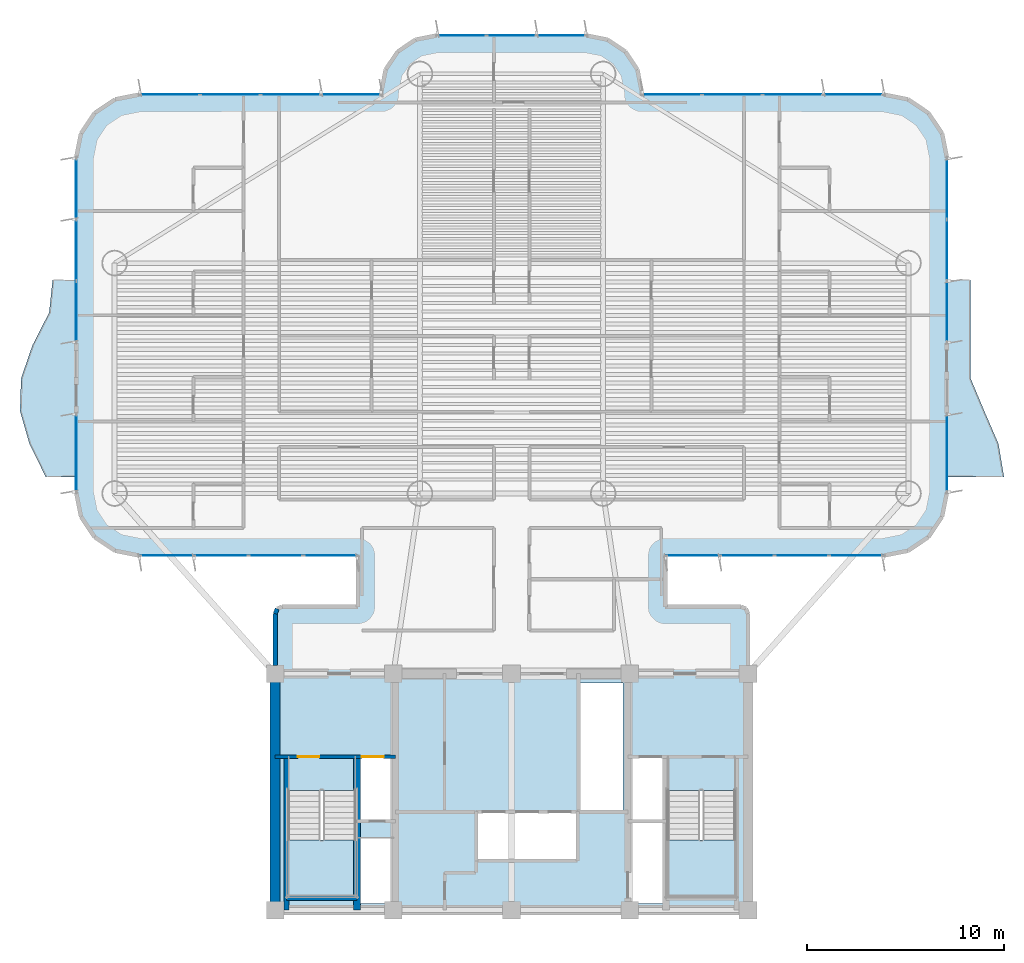
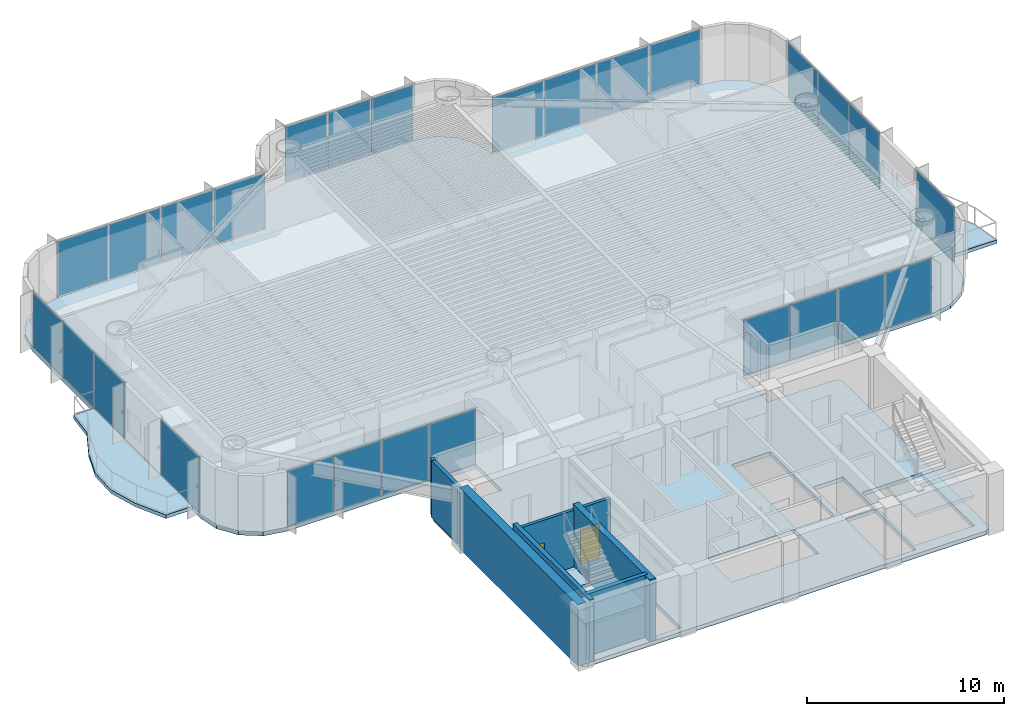
# One storey, part 8 of 17: 27 plates, 7 walls, 5 slabs, 2 doors, 2 openings, 11 elements without a shape of their own.
"""IFC4 building model written with IfcOpenShell, lengths in metres."""

from ifc_helpers import new_model, si_unit, direction, frame, frame_2d, origin, origin_2d, place, context, subcontext, project, spatial, polyline, rectangle, outline, extrude, source, transform, mapped, material, layer, layer_set, type_object, element, fill, aggregate, save


model = new_model("IFC4")

# Units and contexts
model_context = context("Model", 3, precision=1e-05, world=origin(), true_north=direction((0.0, 1.0)))
body_context = subcontext(model_context, "Body", "Model", "MODEL_VIEW")
ifc_project = project(units=[si_unit("LENGTHUNIT", "METRE"), si_unit("AREAUNIT", "SQUARE_METRE"), si_unit("VOLUMEUNIT", "CUBIC_METRE"), si_unit("PLANEANGLEUNIT", "RADIAN"), si_unit("MASSUNIT", "GRAM", prefix="KILO")], contexts=[model_context])

# Site, building, storey
site_placement = place(None, origin())
site = spatial("IfcSite", under=ifc_project, at=site_placement, CompositionType="ELEMENT")
building_placement = place(site_placement, origin())
building = spatial("IfcBuilding", under=site, at=building_placement, Name="Brelvock Crest Care Tower", CompositionType="ELEMENT")
storey_placement = place(building_placement, frame((0.0, 0.0, 127.6201171875)))
storey = spatial("IfcBuildingStorey", under=building, at=storey_placement, Name="L32", CompositionType="ELEMENT", Elevation=127.6201171875)

# Slabs
ifc_material_1 = material(Name="Concrete N50 (50 MPa)", Category="concrete")
ifc_layer_1 = layer(ifc_material_1, 0.25, Name="SLB-FL3")
ifc_layer_set_1 = layer_set([ifc_layer_1], Name="Concrete N50 (50 MPa)")
slab_type_1 = type_object("IfcSlabType", Name="SLB-FL3", PredefinedType="FLOOR", material=ifc_layer_set_1)
slab_1_placement = place(storey_placement, frame((0.0, 0.0, -0.25)))
element("IfcSlab", 1, at=slab_1_placement, inside=storey, type_object=slab_type_1, Name="L32 Main Structural Slab", PredefinedType="FLOOR", context=body_context, shape_type="SweptSolid", body=[
    extrude(outline(polyline([(47.64990234375, 21.39990234375), (43.800048828125, 21.39990234375), (43.800048828125, 24.0), (54.89990234375, 24.0), (56.12451171875, 24.24365234375), (57.16259765625, 24.937255859375), (57.8564453125, 25.975341796875), (58.10009765625, 27.199951171875), (58.10009765625, 44.199951171875), (57.8564453125, 45.424560546875), (57.16259765625, 46.462646484375), (56.12451171875, 47.156494140625), (54.89990234375, 47.39990234375), (42.60009765625, 47.39990234375), (42.60009765625, 47.60009765625), (42.386962890625, 48.67138671875), (41.77978515625, 49.579833984375), (40.87158203125, 50.18701171875), (39.800048828125, 50.39990234375), (32.199951171875, 50.39990234375), (31.12841796875, 50.18701171875), (30.22021484375, 49.579833984375), (29.613037109375, 48.67138671875), (29.39990234375, 47.60009765625), (29.39990234375, 47.39990234375), (17.10009765625, 47.39990234375), (15.87548828125, 47.156494140625), (14.83740234375, 46.462646484375), (14.1435546875, 45.424560546875), (13.89990234375, 44.199951171875), (13.89990234375, 27.199951171875), (14.1435546875, 25.975341796875), (14.83740234375, 24.937255859375), (15.87548828125, 24.24365234375), (17.10009765625, 24.0), (28.199951171875, 24.0), (28.199951171875, 21.39990234375), (24.35009765625, 21.39990234375), (24.1025390625, 21.297607421875), (24.0, 21.050048828125), (24.0, 6.35009765625), (24.1025390625, 6.1025390625), (24.35009765625, 6.0), (47.64990234375, 6.0), (47.8974609375, 6.1025390625), (48.0, 6.35009765625), (48.0, 21.050048828125), (47.8974609375, 21.297607421875), (47.64990234375, 21.39990234375)]), holes=[polyline([(28.239990234375, 10.580078125), (29.97998046875, 10.580078125), (29.97998046875, 13.739990234375), (28.239990234375, 13.739990234375), (28.239990234375, 10.580078125)]), polyline([(42.02001953125, 10.580078125), (43.760009765625, 10.580078125), (43.760009765625, 13.739990234375), (42.02001953125, 13.739990234375), (42.02001953125, 10.580078125)]), polyline([(28.239990234375, 6.340087890625), (29.97998046875, 6.340087890625), (29.97998046875, 9.64990234375), (28.239990234375, 9.64990234375), (28.239990234375, 6.340087890625)]), polyline([(24.6298828125, 12.080078125), (24.6298828125, 6.699951171875), (28.110107421875, 6.699951171875), (28.110107421875, 12.080078125), (24.6298828125, 12.080078125)]), polyline([(43.889892578125, 12.080078125), (43.889892578125, 6.699951171875), (47.3701171875, 6.699951171875), (47.3701171875, 12.080078125), (43.889892578125, 12.080078125)]), polyline([(42.02001953125, 6.340087890625), (43.760009765625, 6.340087890625), (43.760009765625, 10.5), (42.02001953125, 10.5), (42.02001953125, 6.340087890625)]), polyline([(34.22998046875, 8.530029296875), (39.320068359375, 8.530029296875), (39.320068359375, 10.969970703125), (34.22998046875, 10.969970703125), (34.22998046875, 8.530029296875)]), polyline([(39.429931640625, 11.030029296875), (41.669921875, 11.030029296875), (41.669921875, 17.52001953125), (39.429931640625, 17.52001953125), (39.429931640625, 11.030029296875)])]), origin(), (0.0, 0.0, 1.0), 0.25),
])
ifc_layer_2 = layer(ifc_material_1, 0.219970703125, Name="SLB-WB1")
ifc_layer_set_2 = layer_set([ifc_layer_2], Name="Concrete N50 (50 MPa)")
slab_type_2 = type_object("IfcSlabType", Name="SLB-WB1", PredefinedType="FLOOR", material=ifc_layer_set_2)
slab_2_placement = place(storey_placement, frame((0.0, 0.0, -0.22021484375)))
element("IfcSlab", 2, at=slab_2_placement, inside=storey, type_object=slab_type_2, Name="L32 W Sinusoidal Wave Balcony Slab", PredefinedType="FLOOR", context=body_context, shape_type="SweptSolid", body=[
    extrude(outline(polyline([(13.89990234375, 38.0), (12.699951171875, 38.0), (12.526123046875, 36.333251953125), (11.675048828125, 34.666748046875), (11.102783203125, 33.0), (11.0458984375, 31.333251953125), (11.5283203125, 29.666748046875), (12.35009765625, 28.0), (13.89990234375, 28.0), (13.89990234375, 38.0)])), origin(), (0.0, 0.0, 1.0), 0.22021484375),
])
slab_3_placement = place(storey_placement, frame((0.0, 0.0, -0.22021484375)))
element("IfcSlab", 3, at=slab_3_placement, inside=storey, type_object=slab_type_2, Name="L32 E Sinusoidal Wave Balcony Slab", PredefinedType="FLOOR", context=body_context, shape_type="SweptSolid", body=[
    extrude(outline(polyline([(58.10009765625, 28.0), (61.0, 28.0), (60.720947265625, 29.666748046875), (59.99951171875, 31.333251953125), (59.300048828125, 33.0), (59.300048828125, 34.666748046875), (59.300048828125, 36.333251953125), (59.300048828125, 38.0), (58.10009765625, 38.0), (58.10009765625, 28.0)])), origin(), (0.0, 0.0, 1.0), 0.22021484375),
])

# Stair, slab
ifc_material_2 = material(Name="Concrete N40 (40 MPa)", Category="concrete")
stair_type = type_object("IfcStairType", Name="ST-CORE1", PredefinedType="HALF_TURN_STAIR", material=ifc_material_2)
stair_1_placement = place(storey_placement, origin())
stair_1 = element("IfcStair", 4, at=stair_1_placement, inside=storey, type_object=stair_type, Name="L32 Fire-Isolated Core Stair ST-1", PredefinedType="HALF_TURN_STAIR")
ifc_layer_3 = layer(ifc_material_2, 0.199951171875, Name="STL-1")
ifc_layer_set_3 = layer_set([ifc_layer_3], Name="Concrete N40 (40 MPa)")
slab_type_3 = type_object("IfcSlabType", Name="STL-1", PredefinedType="LANDING", material=ifc_layer_set_3)
slab_4_placement = place(storey_placement, frame((0.0, 0.0, 1.68994140625)))
slab_4 = element("IfcSlab", 5, at=slab_4_placement, type_object=slab_type_3, Name="ST-1 landing 1", PredefinedType="LANDING", context=body_context, shape_type="SweptSolid", body=[
    extrude(outline(polyline([(24.6298828125, 9.56005859375), (24.6298828125, 6.699951171875), (28.110107421875, 6.699951171875), (28.110107421875, 9.56005859375), (24.6298828125, 9.56005859375)])), origin(), (0.0, 0.0, 1.0), 0.199951171875),
])
aggregate(stair_1, [slab_4])

stair_2_placement = place(storey_placement, origin())
stair_2 = element("IfcStair", 6, at=stair_2_placement, inside=storey, type_object=stair_type, Name="L32 Fire-Isolated Core Stair ST-2", PredefinedType="HALF_TURN_STAIR")
slab_5_placement = place(storey_placement, frame((0.0, 0.0, 1.68994140625)))
slab_5 = element("IfcSlab", 7, at=slab_5_placement, type_object=slab_type_3, Name="ST-2 landing 1", PredefinedType="LANDING", context=body_context, shape_type="SweptSolid", body=[
    extrude(outline(polyline([(43.889892578125, 9.56005859375), (43.889892578125, 6.699951171875), (47.3701171875, 6.699951171875), (47.3701171875, 9.56005859375), (43.889892578125, 9.56005859375)])), origin(), (0.0, 0.0, 1.0), 0.199951171875),
])
aggregate(stair_2, [slab_5])

# Curtain wall, plates
ifc_material_3 = material(Name="Dark Glass Double Glazed Low-E", Category="glass")
ifc_layer_4 = layer(ifc_material_3, 0.2099609375, Name="CWS-3")
ifc_layer_set_4 = layer_set([ifc_layer_4], Name="Dark Glass Double Glazed Low-E")
curtain_wall_type = type_object("IfcCurtainWallType", Name="CWS-3", PredefinedType="NOTDEFINED", material=ifc_layer_set_4)
curtain_wall_1_placement = place(storey_placement, origin())
curtain_wall_1 = element("IfcCurtainWall", 8, at=curtain_wall_1_placement, inside=storey, type_object=curtain_wall_type, Name="L32 Curtain Wall E12", PredefinedType="NOTDEFINED")
ifc_layer_5 = layer(ifc_material_3, 0.031982421875, Name="CWP-V1")
ifc_layer_set_5 = layer_set([ifc_layer_5], Name="Dark Glass Double Glazed Low-E")
plate_type = type_object("IfcPlateType", Name="CWP-V1", PredefinedType="CURTAIN_PANEL", material=ifc_layer_set_5)
shared_shape_1 = source(origin(), body_context, "Body", "SweptSolid", [
    extrude(rectangle(XDim=2.68505859375, YDim=0.035888671875, at=origin_2d()), origin(), (0.0, 0.0, 1.0), 3.409912109375),
])
plate_1_placement = place(storey_placement, frame((26.797607421875, 24.0, 0.06005859375), z_axis=(0.0, 0.0, 1.0), x_axis=(-1.0, 0.0, 0.0)))
plate_1 = element("IfcPlate", 9, at=plate_1_placement, type_object=plate_type, Name="CW-3 panel 1.1", PredefinedType="CURTAIN_PANEL", context=body_context, shape_type="MappedRepresentation", body=[
    mapped(shared_shape_1, transform((0.0, 0.0, 0.0), x_axis=(1.0, 0.0, 0.0), y_axis=(0.0, 1.0, 0.0), z_axis=(0.0, 0.0, 1.0), scale=1.0)),
])
plate_2_placement = place(storey_placement, frame((18.50244140625, 24.0, 0.06005859375), z_axis=(0.0, 0.0, 1.0), x_axis=(-1.0, 0.0, 0.0)))
plate_2 = element("IfcPlate", 10, at=plate_2_placement, type_object=plate_type, Name="CW-3 panel 4.1", PredefinedType="CURTAIN_PANEL", context=body_context, shape_type="MappedRepresentation", body=[
    mapped(shared_shape_1, transform((0.0, 0.0, 0.0), x_axis=(1.0, 0.0, 0.0), y_axis=(0.0, 1.0, 0.0), z_axis=(0.0, 0.0, 1.0), scale=1.0)),
])

curtain_wall_2_placement = place(storey_placement, origin())
curtain_wall_2 = element("IfcCurtainWall", 11, at=curtain_wall_2_placement, inside=storey, type_object=curtain_wall_type, Name="L32 Curtain Wall E44", PredefinedType="NOTDEFINED")
plate_3_placement = place(storey_placement, frame((53.49755859375, 24.0, 0.06005859375), z_axis=(0.0, 0.0, 1.0), x_axis=(-1.0, 0.0, 0.0)))
plate_3 = element("IfcPlate", 12, at=plate_3_placement, type_object=plate_type, Name="CW-3 panel 1.1", PredefinedType="CURTAIN_PANEL", context=body_context, shape_type="MappedRepresentation", body=[
    mapped(shared_shape_1, transform((0.0, 0.0, 0.0), x_axis=(1.0, 0.0, 0.0), y_axis=(0.0, 1.0, 0.0), z_axis=(0.0, 0.0, 1.0), scale=1.0)),
])
plate_4_placement = place(storey_placement, frame((45.202392578125, 24.0, 0.06005859375), z_axis=(0.0, 0.0, 1.0), x_axis=(-1.0, 0.0, 0.0)))
plate_4 = element("IfcPlate", 13, at=plate_4_placement, type_object=plate_type, Name="CW-3 panel 4.1", PredefinedType="CURTAIN_PANEL", context=body_context, shape_type="MappedRepresentation", body=[
    mapped(shared_shape_1, transform((0.0, 0.0, 0.0), x_axis=(1.0, 0.0, 0.0), y_axis=(0.0, 1.0, 0.0), z_axis=(0.0, 0.0, 1.0), scale=1.0)),
])

# Plate
shared_shape_2 = source(origin(), body_context, "Body", "SweptSolid", [
    extrude(rectangle(XDim=2.715087890625, YDim=0.035888671875, at=origin_2d()), origin(), (0.0, 0.0, 1.0), 3.409912109375),
])
plate_5_placement = place(storey_placement, frame((24.03759765625, 24.0, 0.06005859375), z_axis=(0.0, 0.0, 1.0), x_axis=(-1.0, 0.0, 0.0)))
plate_5 = element("IfcPlate", 14, at=plate_5_placement, type_object=plate_type, Name="CW-3 panel 2.1", PredefinedType="CURTAIN_PANEL", context=body_context, shape_type="MappedRepresentation", body=[
    mapped(shared_shape_2, transform((0.0, 0.0, 0.0), x_axis=(1.0, 0.0, 0.0), y_axis=(0.0, 1.0, 0.0), z_axis=(0.0, 0.0, 1.0), scale=1.0)),
])

plate_6_placement = place(storey_placement, frame((21.262451171875, 24.0, 0.06005859375), z_axis=(0.0, 0.0, 1.0), x_axis=(-1.0, 0.0, 0.0)))
plate_6 = element("IfcPlate", 15, at=plate_6_placement, type_object=plate_type, Name="CW-3 panel 3.1", PredefinedType="CURTAIN_PANEL", context=body_context, shape_type="MappedRepresentation", body=[
    mapped(shared_shape_2, transform((0.0, 0.0, 0.0), x_axis=(1.0, 0.0, 0.0), y_axis=(0.0, 1.0, 0.0), z_axis=(0.0, 0.0, 1.0), scale=1.0)),
])

aggregate(curtain_wall_1, [plate_1, plate_5, plate_6, plate_2])

plate_7_placement = place(storey_placement, frame((50.737548828125, 24.0, 0.06005859375), z_axis=(0.0, 0.0, 1.0), x_axis=(-1.0, 0.0, 0.0)))
plate_7 = element("IfcPlate", 16, at=plate_7_placement, type_object=plate_type, Name="CW-3 panel 2.1", PredefinedType="CURTAIN_PANEL", context=body_context, shape_type="MappedRepresentation", body=[
    mapped(shared_shape_2, transform((0.0, 0.0, 0.0), x_axis=(1.0, 0.0, 0.0), y_axis=(0.0, 1.0, 0.0), z_axis=(0.0, 0.0, 1.0), scale=1.0)),
])

plate_8_placement = place(storey_placement, frame((47.96240234375, 24.0, 0.06005859375), z_axis=(0.0, 0.0, 1.0), x_axis=(-1.0, 0.0, 0.0)))
plate_8 = element("IfcPlate", 17, at=plate_8_placement, type_object=plate_type, Name="CW-3 panel 3.1", PredefinedType="CURTAIN_PANEL", context=body_context, shape_type="MappedRepresentation", body=[
    mapped(shared_shape_2, transform((0.0, 0.0, 0.0), x_axis=(1.0, 0.0, 0.0), y_axis=(0.0, 1.0, 0.0), z_axis=(0.0, 0.0, 1.0), scale=1.0)),
])

aggregate(curtain_wall_2, [plate_3, plate_7, plate_8, plate_4])

# Curtain wall, plates
curtain_wall_3_placement = place(storey_placement, origin())
curtain_wall_3 = element("IfcCurtainWall", 18, at=curtain_wall_3_placement, inside=storey, type_object=curtain_wall_type, Name="L32 Curtain Wall E22", PredefinedType="NOTDEFINED")
shared_shape_3 = source(origin(), body_context, "Body", "SweptSolid", [
    extrude(rectangle(XDim=2.985107421875, YDim=0.035888671875, at=origin_2d()), origin(), (0.0, 0.0, 1.0), 3.409912109375),
])
plate_9_placement = place(storey_placement, frame((18.652587890625, 47.39990234375, 0.06005859375), z_axis=(0.0, 0.0, 1.0), x_axis=(1.0, 0.0, 0.0)))
plate_9 = element("IfcPlate", 19, at=plate_9_placement, type_object=plate_type, Name="CW-3 panel 1.1", PredefinedType="CURTAIN_PANEL", context=body_context, shape_type="MappedRepresentation", body=[
    mapped(shared_shape_3, transform((0.0, 0.0, 0.0), x_axis=(1.0, 0.0, 0.0), y_axis=(0.0, 1.0, 0.0), z_axis=(0.0, 0.0, 1.0), scale=1.0)),
])
plate_10_placement = place(storey_placement, frame((27.847412109375, 47.39990234375, 0.06005859375), z_axis=(0.0, 0.0, 1.0), x_axis=(1.0, 0.0, 0.0)))
plate_10 = element("IfcPlate", 20, at=plate_10_placement, type_object=plate_type, Name="CW-3 panel 4.1", PredefinedType="CURTAIN_PANEL", context=body_context, shape_type="MappedRepresentation", body=[
    mapped(shared_shape_3, transform((0.0, 0.0, 0.0), x_axis=(1.0, 0.0, 0.0), y_axis=(0.0, 1.0, 0.0), z_axis=(0.0, 0.0, 1.0), scale=1.0)),
])

curtain_wall_4_placement = place(storey_placement, origin())
curtain_wall_4 = element("IfcCurtainWall", 21, at=curtain_wall_4_placement, inside=storey, type_object=curtain_wall_type, Name="L32 Curtain Wall E34", PredefinedType="NOTDEFINED")
plate_11_placement = place(storey_placement, frame((44.152587890625, 47.39990234375, 0.06005859375), z_axis=(0.0, 0.0, 1.0), x_axis=(1.0, 0.0, 0.0)))
plate_11 = element("IfcPlate", 22, at=plate_11_placement, type_object=plate_type, Name="CW-3 panel 1.1", PredefinedType="CURTAIN_PANEL", context=body_context, shape_type="MappedRepresentation", body=[
    mapped(shared_shape_3, transform((0.0, 0.0, 0.0), x_axis=(1.0, 0.0, 0.0), y_axis=(0.0, 1.0, 0.0), z_axis=(0.0, 0.0, 1.0), scale=1.0)),
])
plate_12_placement = place(storey_placement, frame((53.347412109375, 47.39990234375, 0.06005859375), z_axis=(0.0, 0.0, 1.0), x_axis=(1.0, 0.0, 0.0)))
plate_12 = element("IfcPlate", 23, at=plate_12_placement, type_object=plate_type, Name="CW-3 panel 4.1", PredefinedType="CURTAIN_PANEL", context=body_context, shape_type="MappedRepresentation", body=[
    mapped(shared_shape_3, transform((0.0, 0.0, 0.0), x_axis=(1.0, 0.0, 0.0), y_axis=(0.0, 1.0, 0.0), z_axis=(0.0, 0.0, 1.0), scale=1.0)),
])

# Plate
shared_shape_4 = source(origin(), body_context, "Body", "SweptSolid", [
    extrude(rectangle(XDim=3.014892578125, YDim=0.035888671875, at=origin_2d()), origin(), (0.0, 0.0, 1.0), 3.409912109375),
])
plate_13_placement = place(storey_placement, frame((21.71240234375, 47.39990234375, 0.06005859375), z_axis=(0.0, 0.0, 1.0), x_axis=(1.0, 0.0, 0.0)))
plate_13 = element("IfcPlate", 24, at=plate_13_placement, type_object=plate_type, Name="CW-3 panel 2.1", PredefinedType="CURTAIN_PANEL", context=body_context, shape_type="MappedRepresentation", body=[
    mapped(shared_shape_4, transform((0.0, 0.0, 0.0), x_axis=(1.0, 0.0, 0.0), y_axis=(0.0, 1.0, 0.0), z_axis=(0.0, 0.0, 1.0), scale=1.0)),
])

plate_14_placement = place(storey_placement, frame((24.78759765625, 47.39990234375, 0.06005859375), z_axis=(0.0, 0.0, 1.0), x_axis=(1.0, 0.0, 0.0)))
plate_14 = element("IfcPlate", 25, at=plate_14_placement, type_object=plate_type, Name="CW-3 panel 3.1", PredefinedType="CURTAIN_PANEL", context=body_context, shape_type="MappedRepresentation", body=[
    mapped(shared_shape_4, transform((0.0, 0.0, 0.0), x_axis=(1.0, 0.0, 0.0), y_axis=(0.0, 1.0, 0.0), z_axis=(0.0, 0.0, 1.0), scale=1.0)),
])

aggregate(curtain_wall_3, [plate_9, plate_13, plate_14, plate_10])

plate_15_placement = place(storey_placement, frame((47.21240234375, 47.39990234375, 0.06005859375), z_axis=(0.0, 0.0, 1.0), x_axis=(1.0, 0.0, 0.0)))
plate_15 = element("IfcPlate", 26, at=plate_15_placement, type_object=plate_type, Name="CW-3 panel 2.1", PredefinedType="CURTAIN_PANEL", context=body_context, shape_type="MappedRepresentation", body=[
    mapped(shared_shape_4, transform((0.0, 0.0, 0.0), x_axis=(1.0, 0.0, 0.0), y_axis=(0.0, 1.0, 0.0), z_axis=(0.0, 0.0, 1.0), scale=1.0)),
])

plate_16_placement = place(storey_placement, frame((50.28759765625, 47.39990234375, 0.06005859375), z_axis=(0.0, 0.0, 1.0), x_axis=(1.0, 0.0, 0.0)))
plate_16 = element("IfcPlate", 27, at=plate_16_placement, type_object=plate_type, Name="CW-3 panel 3.1", PredefinedType="CURTAIN_PANEL", context=body_context, shape_type="MappedRepresentation", body=[
    mapped(shared_shape_4, transform((0.0, 0.0, 0.0), x_axis=(1.0, 0.0, 0.0), y_axis=(0.0, 1.0, 0.0), z_axis=(0.0, 0.0, 1.0), scale=1.0)),
])

aggregate(curtain_wall_4, [plate_11, plate_15, plate_16, plate_12])

# Curtain wall, plates
curtain_wall_5_placement = place(storey_placement, origin())
curtain_wall_5 = element("IfcCurtainWall", 28, at=curtain_wall_5_placement, inside=storey, type_object=curtain_wall_type, Name="L32 Curtain Wall E28", PredefinedType="NOTDEFINED")
shared_shape_5 = source(origin(), body_context, "Body", "SweptSolid", [
    extrude(rectangle(XDim=2.443359375, YDim=0.035888671875, at=origin_2d()), origin(), (0.0, 0.0, 1.0), 3.409912109375),
])
plate_17_placement = place(storey_placement, frame((33.481689453125, 50.39990234375, 0.06005859375), z_axis=(0.0, 0.0, 1.0), x_axis=(1.0, 0.0, 0.0)))
plate_17 = element("IfcPlate", 29, at=plate_17_placement, type_object=plate_type, Name="CW-3 panel 1.1", PredefinedType="CURTAIN_PANEL", context=body_context, shape_type="MappedRepresentation", body=[
    mapped(shared_shape_5, transform((0.0, 0.0, 0.0), x_axis=(1.0, 0.0, 0.0), y_axis=(0.0, 1.0, 0.0), z_axis=(0.0, 0.0, 1.0), scale=1.0)),
])
plate_18_placement = place(storey_placement, frame((38.518310546875, 50.39990234375, 0.06005859375), z_axis=(0.0, 0.0, 1.0), x_axis=(1.0, 0.0, 0.0)))
plate_18 = element("IfcPlate", 30, at=plate_18_placement, type_object=plate_type, Name="CW-3 panel 3.1", PredefinedType="CURTAIN_PANEL", context=body_context, shape_type="MappedRepresentation", body=[
    mapped(shared_shape_5, transform((0.0, 0.0, 0.0), x_axis=(1.0, 0.0, 0.0), y_axis=(0.0, 1.0, 0.0), z_axis=(0.0, 0.0, 1.0), scale=1.0)),
])
shared_shape_6 = source(origin(), body_context, "Body", "SweptSolid", [
    extrude(rectangle(XDim=2.473388671875, YDim=0.035888671875, at=origin_2d()), origin(), (0.0, 0.0, 1.0), 3.409912109375),
])
plate_19_placement = place(storey_placement, frame((36.0, 50.39990234375, 0.06005859375), z_axis=(0.0, 0.0, 1.0), x_axis=(1.0, 0.0, 0.0)))
plate_19 = element("IfcPlate", 31, at=plate_19_placement, type_object=plate_type, Name="CW-3 panel 2.1", PredefinedType="CURTAIN_PANEL", context=body_context, shape_type="MappedRepresentation", body=[
    mapped(shared_shape_6, transform((0.0, 0.0, 0.0), x_axis=(1.0, 0.0, 0.0), y_axis=(0.0, 1.0, 0.0), z_axis=(0.0, 0.0, 1.0), scale=1.0)),
])
aggregate(curtain_wall_5, [plate_17, plate_19, plate_18])

# Curtain wall, plate
curtain_wall_6_placement = place(storey_placement, origin())
curtain_wall_6 = element("IfcCurtainWall", 32, at=curtain_wall_6_placement, inside=storey, type_object=curtain_wall_type, Name="L32 Curtain Wall E17A", PredefinedType="NOTDEFINED")
shared_shape_7 = source(origin(), body_context, "Body", "SweptSolid", [
    extrude(rectangle(XDim=3.8798828125, YDim=0.035888671875, at=origin_2d()), origin(), (0.0, 0.0, 1.0), 3.409912109375),
])
plate_20_placement = place(storey_placement, frame((13.89990234375, 29.199951171875, 0.06005859375), z_axis=(0.0, 0.0, 1.0), x_axis=(0.0, 1.0, 0.0)))
plate_20 = element("IfcPlate", 33, at=plate_20_placement, type_object=plate_type, Name="CW-3 panel 1.1", PredefinedType="CURTAIN_PANEL", context=body_context, shape_type="MappedRepresentation", body=[
    mapped(shared_shape_7, transform((0.0, 0.0, 0.0), x_axis=(1.0, 0.0, 0.0), y_axis=(0.0, 1.0, 0.0), z_axis=(0.0, 0.0, 1.0), scale=1.0)),
])
aggregate(curtain_wall_6, [plate_20])

curtain_wall_7_placement = place(storey_placement, origin())
curtain_wall_7 = element("IfcCurtainWall", 34, at=curtain_wall_7_placement, inside=storey, type_object=curtain_wall_type, Name="L32 Curtain Wall E39B", PredefinedType="NOTDEFINED")
plate_21_placement = place(storey_placement, frame((58.10009765625, 29.199951171875, 0.06005859375), z_axis=(0.0, 0.0, 1.0), x_axis=(0.0, -1.0, 0.0)))
plate_21 = element("IfcPlate", 35, at=plate_21_placement, type_object=plate_type, Name="CW-3 panel 1.1", PredefinedType="CURTAIN_PANEL", context=body_context, shape_type="MappedRepresentation", body=[
    mapped(shared_shape_7, transform((0.0, 0.0, 0.0), x_axis=(1.0, 0.0, 0.0), y_axis=(0.0, 1.0, 0.0), z_axis=(0.0, 0.0, 1.0), scale=1.0)),
])
aggregate(curtain_wall_7, [plate_21])

# Curtain wall, plates
curtain_wall_8_placement = place(storey_placement, origin())
curtain_wall_8 = element("IfcCurtainWall", 36, at=curtain_wall_8_placement, inside=storey, type_object=curtain_wall_type, Name="L32 Curtain Wall E17B", PredefinedType="NOTDEFINED")
shared_shape_8 = source(origin(), body_context, "Body", "SweptSolid", [
    extrude(rectangle(XDim=3.043212890625, YDim=0.035888671875, at=origin_2d()), origin(), (0.0, 0.0, 1.0), 3.409912109375),
])
plate_22_placement = place(storey_placement, frame((13.89990234375, 36.381591796875, 0.06005859375), z_axis=(0.0, 0.0, 1.0), x_axis=(0.0, 1.0, 0.0)))
plate_22 = element("IfcPlate", 37, at=plate_22_placement, type_object=plate_type, Name="CW-3 panel 1.1", PredefinedType="CURTAIN_PANEL", context=body_context, shape_type="MappedRepresentation", body=[
    mapped(shared_shape_8, transform((0.0, 0.0, 0.0), x_axis=(1.0, 0.0, 0.0), y_axis=(0.0, 1.0, 0.0), z_axis=(0.0, 0.0, 1.0), scale=1.0)),
])
plate_23_placement = place(storey_placement, frame((13.89990234375, 42.618408203125, 0.06005859375), z_axis=(0.0, 0.0, 1.0), x_axis=(0.0, 1.0, 0.0)))
plate_23 = element("IfcPlate", 38, at=plate_23_placement, type_object=plate_type, Name="CW-3 panel 3.1", PredefinedType="CURTAIN_PANEL", context=body_context, shape_type="MappedRepresentation", body=[
    mapped(shared_shape_8, transform((0.0, 0.0, 0.0), x_axis=(1.0, 0.0, 0.0), y_axis=(0.0, 1.0, 0.0), z_axis=(0.0, 0.0, 1.0), scale=1.0)),
])

curtain_wall_9_placement = place(storey_placement, origin())
curtain_wall_9 = element("IfcCurtainWall", 39, at=curtain_wall_9_placement, inside=storey, type_object=curtain_wall_type, Name="L32 Curtain Wall E39A", PredefinedType="NOTDEFINED")
plate_24_placement = place(storey_placement, frame((58.10009765625, 42.618408203125, 0.06005859375), z_axis=(0.0, 0.0, 1.0), x_axis=(0.0, -1.0, 0.0)))
plate_24 = element("IfcPlate", 40, at=plate_24_placement, type_object=plate_type, Name="CW-3 panel 1.1", PredefinedType="CURTAIN_PANEL", context=body_context, shape_type="MappedRepresentation", body=[
    mapped(shared_shape_8, transform((0.0, 0.0, 0.0), x_axis=(1.0, 0.0, 0.0), y_axis=(0.0, 1.0, 0.0), z_axis=(0.0, 0.0, 1.0), scale=1.0)),
])
plate_25_placement = place(storey_placement, frame((58.10009765625, 36.381591796875, 0.06005859375), z_axis=(0.0, 0.0, 1.0), x_axis=(0.0, -1.0, 0.0)))
plate_25 = element("IfcPlate", 41, at=plate_25_placement, type_object=plate_type, Name="CW-3 panel 3.1", PredefinedType="CURTAIN_PANEL", context=body_context, shape_type="MappedRepresentation", body=[
    mapped(shared_shape_8, transform((0.0, 0.0, 0.0), x_axis=(1.0, 0.0, 0.0), y_axis=(0.0, 1.0, 0.0), z_axis=(0.0, 0.0, 1.0), scale=1.0)),
])

# Plate
shared_shape_9 = source(origin(), body_context, "Body", "SweptSolid", [
    extrude(rectangle(XDim=3.0732421875, YDim=0.035888671875, at=origin_2d()), origin(), (0.0, 0.0, 1.0), 3.409912109375),
])
plate_26_placement = place(storey_placement, frame((13.89990234375, 39.5, 0.06005859375), z_axis=(0.0, 0.0, 1.0), x_axis=(0.0, 1.0, 0.0)))
plate_26 = element("IfcPlate", 42, at=plate_26_placement, type_object=plate_type, Name="CW-3 panel 2.1", PredefinedType="CURTAIN_PANEL", context=body_context, shape_type="MappedRepresentation", body=[
    mapped(shared_shape_9, transform((0.0, 0.0, 0.0), x_axis=(1.0, 0.0, 0.0), y_axis=(0.0, 1.0, 0.0), z_axis=(0.0, 0.0, 1.0), scale=1.0)),
])

aggregate(curtain_wall_8, [plate_22, plate_26, plate_23])

plate_27_placement = place(storey_placement, frame((58.10009765625, 39.5, 0.06005859375), z_axis=(0.0, 0.0, 1.0), x_axis=(0.0, -1.0, 0.0)))
plate_27 = element("IfcPlate", 43, at=plate_27_placement, type_object=plate_type, Name="CW-3 panel 2.1", PredefinedType="CURTAIN_PANEL", context=body_context, shape_type="MappedRepresentation", body=[
    mapped(shared_shape_9, transform((0.0, 0.0, 0.0), x_axis=(1.0, 0.0, 0.0), y_axis=(0.0, 1.0, 0.0), z_axis=(0.0, 0.0, 1.0), scale=1.0)),
])

aggregate(curtain_wall_9, [plate_24, plate_27, plate_25])

# Walls
ifc_material_4 = material(Name="Concrete S80 (80 MPa)", Category="concrete")
ifc_layer_6 = layer(ifc_material_4, 0.5, Name="WL-CS2")
ifc_layer_set_6 = layer_set([ifc_layer_6], Name="Concrete S80 (80 MPa)")
wall_type_1 = type_object("IfcWallType", Name="WL-CS2", PredefinedType="SHEAR", material=ifc_layer_set_6)
wall_1_placement = place(storey_placement, frame((24.0, 6.0, 0.0), z_axis=(0.0, 0.0, 1.0), x_axis=(0.0, 1.0, 0.0)))
element("IfcWall", 44, at=wall_1_placement, inside=storey, type_object=wall_type_1, Name="L32 Core West Shear Wall", PredefinedType="SHEAR", context=body_context, shape_type="SweptSolid", body=[
    extrude(rectangle(XDim=12.0, YDim=0.5, at=frame_2d((6.0, 0.0))), origin(), (0.0, 0.0, 1.0), 3.77978515625),
])
ifc_layer_7 = layer(ifc_material_4, 0.35009765625, Name="WL-CS5")
ifc_layer_set_7 = layer_set([ifc_layer_7], Name="Concrete S80 (80 MPa)")
wall_type_2 = type_object("IfcWallType", Name="WL-CS5", PredefinedType="SHEAR", material=ifc_layer_set_7)
wall_2_placement = place(storey_placement, frame((28.14990234375, 6.0, 0.0), z_axis=(0.0, 0.0, 1.0), x_axis=(0.0, 1.0, 0.0)))
element("IfcWall", 45, at=wall_2_placement, inside=storey, type_object=wall_type_2, Name="L32 Core Stair ST-1 East Shear Wall", PredefinedType="SHEAR", context=body_context, shape_type="SweptSolid", body=[
    extrude(rectangle(XDim=7.780029296875, YDim=0.35009765625, at=frame_2d((3.89013671875, 0.0))), origin(), (0.0, 0.0, 1.0), 3.849853515625),
])
ifc_layer_8 = layer(ifc_material_4, 0.25, Name="WL-CS6")
ifc_layer_set_8 = layer_set([ifc_layer_8], Name="Concrete S80 (80 MPa)")
wall_type_3 = type_object("IfcWallType", Name="WL-CS6", PredefinedType="SHEAR", material=ifc_layer_set_8)
wall_3_placement = place(storey_placement, frame((24.580078125, 6.0, 0.0), z_axis=(0.0, 0.0, 1.0), x_axis=(0.0, 1.0, 0.0)))
element("IfcWall", 46, at=wall_3_placement, inside=storey, type_object=wall_type_3, Name="L32 Core Stair ST-1 West Shear Wall", PredefinedType="SHEAR", context=body_context, shape_type="SweptSolid", body=[
    extrude(rectangle(XDim=7.780029296875, YDim=0.25, at=frame_2d((3.89013671875, 0.0))), origin(), (0.0, 0.0, 1.0), 3.849853515625),
])
wall_4_placement = place(storey_placement, frame((24.580078125, 6.6201171875, 0.0), z_axis=(0.0, 0.0, 1.0), x_axis=(1.0, 0.0, 0.0)))
element("IfcWall", 47, at=wall_4_placement, inside=storey, type_object=wall_type_3, Name="L32 Core Stair ST-1 South Shear Wall", PredefinedType="SHEAR", context=body_context, shape_type="SweptSolid", body=[
    extrude(rectangle(XDim=3.56982421875, YDim=0.25, at=frame_2d((1.784912109375, 0.0))), origin(), (0.0, 0.0, 1.0), 3.849853515625),
])
ifc_material_5 = material(Name="Precast concrete N40 (40 MPa)", Category="concrete")
ifc_layer_9 = layer(ifc_material_5, 0.215087890625, Name="WL-EX2")
ifc_layer_set_9 = layer_set([ifc_layer_9], Name="Precast concrete N40 (40 MPa)")
wall_type_4 = type_object("IfcWallType", Name="WL-EX2", PredefinedType="SOLIDWALL", material=ifc_layer_set_9)
wall_5_placement = place(storey_placement, frame((24.0, 18.429931640625, 0.0), z_axis=(0.0, 0.0, 1.0), x_axis=(0.0, 1.0, 0.0)))
element("IfcWall", 48, at=wall_5_placement, inside=storey, type_object=wall_type_4, Name="L32 Rounded Corner Wall 07", PredefinedType="SOLIDWALL", context=body_context, shape_type="SweptSolid", body=[
    extrude(rectangle(XDim=2.6201171875, YDim=0.215087890625, at=frame_2d((1.31005859375, 0.0))), origin(), (0.0, 0.0, 1.0), 3.52978515625),
])
wall_6_placement = place(storey_placement, frame((24.0, 21.050048828125, 0.0), z_axis=(0.0, 0.0, 1.0), x_axis=(0.382673670509, 0.923883575944, 0.0)))
element("IfcWall", 49, at=wall_6_placement, inside=storey, type_object=wall_type_4, Name="L32 Rounded Corner Wall 08", PredefinedType="SOLIDWALL", context=body_context, shape_type="SweptSolid", body=[
    extrude(rectangle(XDim=0.26806640625, YDim=0.215087890625, at=frame_2d((0.134033203125, 0.0))), origin(), (0.0, 0.0, 1.0), 3.52978515625),
])

# Wall, openings, doors
ifc_material_6 = material(Name="Masonry Blockwork Acoustic Partition", Category="masonry")
ifc_layer_10 = layer(ifc_material_6, 0.179931640625, Name="WL-SHF1")
ifc_layer_set_10 = layer_set([ifc_layer_10], Name="Masonry Blockwork Acoustic Partition")
wall_type_5 = type_object("IfcWallType", Name="WL-SHF1", PredefinedType="PARTITIONING", material=ifc_layer_set_10)
wall_7_placement = place(storey_placement, frame((24.0, 13.780029296875, 0.0), z_axis=(0.0, 0.0, 1.0), x_axis=(1.0, 0.0, 0.0)))
wall_7 = element("IfcWall", 50, at=wall_7_placement, inside=storey, type_object=wall_type_5, Name="L32 Interior Wall WL-ST1-N-L32", PredefinedType="PARTITIONING", context=body_context, shape_type="SweptSolid", body=[
    extrude(rectangle(XDim=6.10009765625, YDim=0.179931640625, at=frame_2d((3.050048828125, 0.0))), origin(), (0.0, 0.0, 1.0), 3.5),
])
opening_1_placement = place(wall_7_placement, frame((1.14990234375, 0.0, 0.0)))
opening_1 = element("IfcOpeningElement", 51, at=opening_1_placement, cuts=wall_7, Name="Opening SD-1", PredefinedType="OPENING", context=body_context, shape_type="SweptSolid", body=[
    extrude(rectangle(XDim=1.10009765625, YDim=2.10009765625, at=origin_2d()), frame((0.550048828125, 0.10009765625, 1.050048828125), z_axis=(0.0, -1.0, 0.0), x_axis=(1.0, 0.0, 0.0)), (0.0, 0.0, 1.0), 0.199951171875),
])
opening_2_placement = place(wall_7_placement, frame((4.39990234375, 0.0, 0.0)))
opening_2 = element("IfcOpeningElement", 52, at=opening_2_placement, cuts=wall_7, Name="Opening LD", PredefinedType="OPENING", context=body_context, shape_type="SweptSolid", body=[
    extrude(rectangle(XDim=1.10009765625, YDim=2.10009765625, at=origin_2d()), frame((0.550048828125, 0.10009765625, 1.050048828125), z_axis=(0.0, -1.0, 0.0), x_axis=(1.0, 0.0, 0.0)), (0.0, 0.0, 1.0), 0.199951171875),
])
ifc_material_7 = material(Name="Steel Grade 350", Category="steel")
door_type_1 = type_object("IfcDoorType", Name="DR-ST1", OperationType="NOTDEFINED", PredefinedType="DOOR", material=ifc_material_7)
shared_shape_10 = source(origin(), body_context, "Body", "SweptSolid", [
    extrude(rectangle(XDim=1.10009765625, YDim=2.10009765625, at=origin_2d()), frame((0.550048828125, 0.02490234375, 1.050048828125), z_axis=(0.0, -1.0, 0.0), x_axis=(1.0, 0.0, 0.0)), (0.0, 0.0, 1.0), 0.050048828125),
])
door_1_placement = place(opening_1_placement, origin())
door_1 = element("IfcDoor", 53, at=door_1_placement, inside=storey, type_object=door_type_1, Name="L32 Fire Stair ST-1 Door", OperationType="SINGLE_SWING_LEFT", OverallHeight=2.10009765625, OverallWidth=1.10009765625, PredefinedType="DOOR", context=body_context, shape_type="MappedRepresentation", body=[
    mapped(shared_shape_10, transform((0.0, 0.0, 0.0), x_axis=(1.0, 0.0, 0.0), y_axis=(0.0, 1.0, 0.0), z_axis=(0.0, 0.0, 1.0), scale=1.0)),
])
fill(opening_1, door_1)
door_type_2 = type_object("IfcDoorType", Name="DR-LD1", OperationType="NOTDEFINED", PredefinedType="DOOR", material=ifc_material_7)
shared_shape_11 = source(origin(), body_context, "Body", "SweptSolid", [
    extrude(rectangle(XDim=1.10009765625, YDim=2.10009765625, at=origin_2d()), frame((0.550048828125, 0.02490234375, 1.050048828125), z_axis=(0.0, -1.0, 0.0), x_axis=(1.0, 0.0, 0.0)), (0.0, 0.0, 1.0), 0.050048828125),
])
door_2_placement = place(opening_2_placement, origin())
door_2 = element("IfcDoor", 54, at=door_2_placement, inside=storey, type_object=door_type_2, Name="L32 Firefighting Lift FFL-1 Landing Door", OperationType="SLIDING_TO_LEFT", OverallHeight=2.10009765625, OverallWidth=1.10009765625, PredefinedType="DOOR", context=body_context, shape_type="MappedRepresentation", body=[
    mapped(shared_shape_11, transform((0.0, 0.0, 0.0), x_axis=(1.0, 0.0, 0.0), y_axis=(0.0, 1.0, 0.0), z_axis=(0.0, 0.0, 1.0), scale=1.0)),
])
fill(opening_2, door_2)

save(model, "model.ifc")
